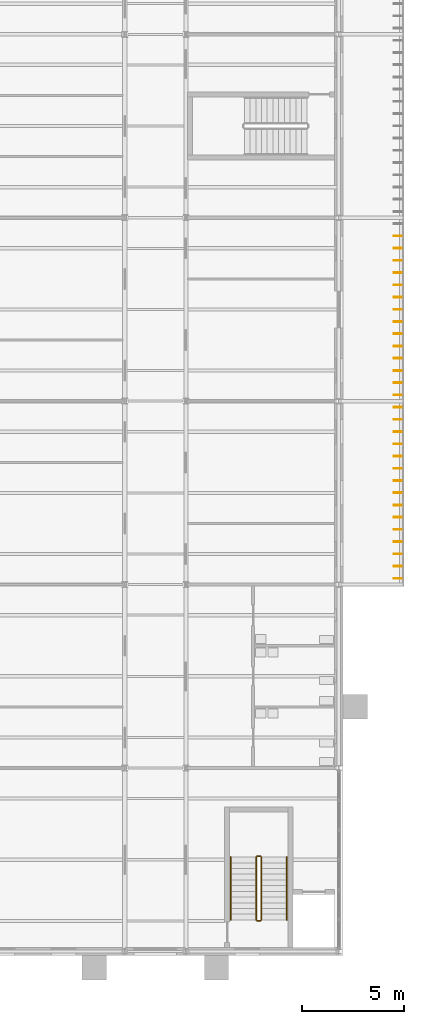
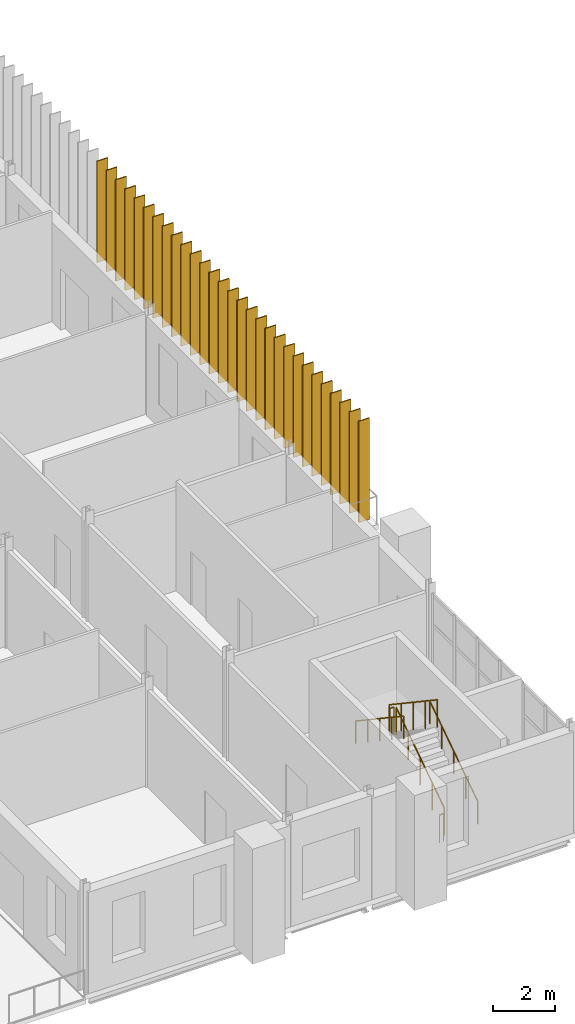
# One storey, part 126 of 134: 29 shading devices, 6 railings.
"""IFC4 building model written with IfcOpenShell, lengths in metres."""

from ifc_helpers import new_model, si_unit, direction, frame, origin, origin_2d, place, context, subcontext, project, spatial, rectangle, circle, extrude, material, layer, layer_set, type_object, element, save


model = new_model("IFC4")

# Units and contexts
model_context = context("Model", 3, precision=1e-05, world=origin(), true_north=direction((0.0, 1.0)))
body_context = subcontext(model_context, "Body", "Model", "MODEL_VIEW")
ifc_project = project(units=[si_unit("LENGTHUNIT", "METRE"), si_unit("AREAUNIT", "SQUARE_METRE"), si_unit("VOLUMEUNIT", "CUBIC_METRE"), si_unit("PLANEANGLEUNIT", "RADIAN"), si_unit("MASSUNIT", "GRAM", prefix="KILO")], contexts=[model_context])

# Site, building, storey
site_placement = place(None, origin())
site = spatial("IfcSite", under=ifc_project, at=site_placement, CompositionType="ELEMENT")
building_placement = place(site_placement, origin())
building = spatial("IfcBuilding", under=site, at=building_placement, Name="Golden Quay Civic Hall", CompositionType="ELEMENT")
storey_placement = place(building_placement, frame((0.0, 0.0, 5.39990234375)))
storey = spatial("IfcBuildingStorey", under=building, at=storey_placement, Name="L01", CompositionType="ELEMENT", Elevation=5.39990234375)

# Shading devices
ifc_material_1 = material(Name="Aluminium, anodised", Category="aluminium")
ifc_layer = layer(ifc_material_1, 0.0400390625)
ifc_layer_set = layer_set([ifc_layer], Name="Louvre fin 40 x 400")
shading_device_type = type_object("IfcShadingDeviceType", Name="Louvre fin 40 x 400", PredefinedType="JALOUSIE", material=ifc_layer_set)
for number, where, z_axis, x_axis, name in (
    (1, (173.89990234375, 9.300048828125, 0.0), (0.0, 0.0, 1.0), (0.0, 1.0, 0.0), "Louvre fin 40 x 400 L01 1"),
    (2, (173.89990234375, 9.89990234375, 0.0), (0.0, 0.0, 1.0), (0.0, 1.0, 0.0), "Louvre fin 40 x 400 L01 2"),
    (3, (173.89990234375, 10.5, 0.0), (0.0, 0.0, 1.0), (0.0, 1.0, 0.0), "Louvre fin 40 x 400 L01 3"),
    (4, (173.89990234375, 11.10009765625, 0.0), (0.0, 0.0, 1.0), (0.0, 1.0, 0.0), "Louvre fin 40 x 400 L01 4"),
    (5, (173.89990234375, 11.699951171875, 0.0), (0.0, 0.0, 1.0), (0.0, 1.0, 0.0), "Louvre fin 40 x 400 L01 5"),
    (6, (173.89990234375, 12.300048828125, 0.0), (0.0, 0.0, 1.0), (0.0, 1.0, 0.0), "Louvre fin 40 x 400 L01 6"),
    (7, (173.89990234375, 12.89990234375, 0.0), (0.0, 0.0, 1.0), (0.0, 1.0, 0.0), "Louvre fin 40 x 400 L01 7"),
    (8, (173.89990234375, 13.5, 0.0), (0.0, 0.0, 1.0), (0.0, 1.0, 0.0), "Louvre fin 40 x 400 L01 8"),
    (9, (173.89990234375, 14.10009765625, 0.0), (0.0, 0.0, 1.0), (0.0, 1.0, 0.0), "Louvre fin 40 x 400 L01 9"),
    (10, (173.89990234375, 14.699951171875, 0.0), (0.0, 0.0, 1.0), (0.0, 1.0, 0.0), "Louvre fin 40 x 400 L01 10"),
    (11, (173.89990234375, 15.300048828125, 0.0), (0.0, 0.0, 1.0), (0.0, 1.0, 0.0), "Louvre fin 40 x 400 L01 11"),
    (12, (173.89990234375, 15.89990234375, 0.0), (0.0, 0.0, 1.0), (0.0, 1.0, 0.0), "Louvre fin 40 x 400 L01 12"),
    (13, (173.89990234375, 16.5, 0.0), (0.0, 0.0, 1.0), (0.0, 1.0, 0.0), "Louvre fin 40 x 400 L01 13"),
    (14, (173.89990234375, 17.10009765625, 0.0), (0.0, 0.0, 1.0), (0.0, 1.0, 0.0), "Louvre fin 40 x 400 L01 14"),
    (15, (173.89990234375, 17.699951171875, 0.0), (0.0, 0.0, 1.0), (0.0, 1.0, 0.0), "Louvre fin 40 x 400 L01 15"),
    (16, (173.89990234375, 18.300048828125, 0.0), (0.0, 0.0, 1.0), (0.0, 1.0, 0.0), "Louvre fin 40 x 400 L01 16"),
    (17, (173.89990234375, 18.89990234375, 0.0), (0.0, 0.0, 1.0), (0.0, 1.0, 0.0), "Louvre fin 40 x 400 L01 17"),
    (18, (173.89990234375, 19.5, 0.0), (0.0, 0.0, 1.0), (0.0, 1.0, 0.0), "Louvre fin 40 x 400 L01 18"),
    (19, (173.89990234375, 20.10009765625, 0.0), (0.0, 0.0, 1.0), (0.0, 1.0, 0.0), "Louvre fin 40 x 400 L01 19"),
    (20, (173.89990234375, 20.699951171875, 0.0), (0.0, 0.0, 1.0), (0.0, 1.0, 0.0), "Louvre fin 40 x 400 L01 20"),
    (21, (173.89990234375, 21.300048828125, 0.0), (0.0, 0.0, 1.0), (0.0, 1.0, 0.0), "Louvre fin 40 x 400 L01 21"),
    (22, (173.89990234375, 21.89990234375, 0.0), (0.0, 0.0, 1.0), (0.0, 1.0, 0.0), "Louvre fin 40 x 400 L01 22"),
    (23, (173.89990234375, 22.5, 0.0), (0.0, 0.0, 1.0), (0.0, 1.0, 0.0), "Louvre fin 40 x 400 L01 23"),
    (24, (173.89990234375, 23.10009765625, 0.0), (0.0, 0.0, 1.0), (0.0, 1.0, 0.0), "Louvre fin 40 x 400 L01 24"),
    (25, (173.89990234375, 23.699951171875, 0.0), (0.0, 0.0, 1.0), (0.0, 1.0, 0.0), "Louvre fin 40 x 400 L01 25"),
    (26, (173.89990234375, 24.300048828125, 0.0), (0.0, 0.0, 1.0), (0.0, 1.0, 0.0), "Louvre fin 40 x 400 L01 26"),
    (27, (173.89990234375, 24.89990234375, 0.0), (0.0, 0.0, 1.0), (0.0, 1.0, 0.0), "Louvre fin 40 x 400 L01 27"),
    (28, (173.89990234375, 25.5, 0.0), (0.0, 0.0, 1.0), (0.0, 1.0, 0.0), "Louvre fin 40 x 400 L01 28"),
    (29, (173.89990234375, 26.10009765625, 0.0), (0.0, 0.0, 1.0), (0.0, 1.0, 0.0), "Louvre fin 40 x 400 L01 29"),
):
    element("IfcShadingDevice", number, at=place(storey_placement, frame(where, z_axis=z_axis, x_axis=x_axis)), inside=storey, type_object=shading_device_type, Name=name, PredefinedType="JALOUSIE", context=body_context, shape_type="SweptSolid", body=[
        extrude(rectangle(XDim=0.0400390625, YDim=0.39990234375, at=origin_2d()), origin(), (0.0, 0.0, 1.0), 3.969970703125),
    ])

# Railings
ifc_material_2 = material(Name="Steel S355", Category="steel")
railing_type_1 = type_object("IfcRailingType", Name="Steel guard 1100", PredefinedType="GUARDRAIL", material=ifc_material_2)
railing_1_placement = place(storey_placement, frame((167.199951171875, -7.449951171875, 0.1875)))
element("IfcRailing", 30, at=railing_1_placement, inside=storey, type_object=railing_type_1, Name="L01 EO-S stair guard 1", PredefinedType="GUARDRAIL", context=body_context, shape_type="SweptSolid", body=[
    extrude(circle(Radius=0.02392578125, at=origin_2d()), frame((0.0, 0.0, 1.076171875), z_axis=(0.0, 0.830893310487, 0.556431762742), x_axis=(-1.0, 0.0, 0.0)), (0.0, 0.0, 1.0), 3.70654296875),
    extrude(circle(Radius=0.02099609375, at=origin_2d()), origin(), (0.0, 0.0, 1.0), 1.052001953125),
    extrude(circle(Radius=0.02099609375, at=origin_2d()), frame((0.0, 0.77001953125, 0.515625)), (0.0, 0.0, 1.0), 1.052001953125),
    extrude(circle(Radius=0.02099609375, at=origin_2d()), frame((0.0, 1.5400390625, 1.03125)), (0.0, 0.0, 1.0), 1.052001953125),
    extrude(circle(Radius=0.02099609375, at=origin_2d()), frame((0.0, 2.309814453125, 1.546875)), (0.0, 0.0, 1.0), 1.052001953125),
    extrude(circle(Radius=0.02099609375, at=origin_2d()), frame((0.0, 3.079833984375, 2.0625)), (0.0, 0.0, 1.0), 1.052001953125),
])
railing_2_placement = place(storey_placement, frame((167.14990234375, -4.320068359375, 2.25)))
element("IfcRailing", 31, at=railing_2_placement, inside=storey, type_object=railing_type_1, Name="L01 EO-S stair guard 2", PredefinedType="GUARDRAIL", context=body_context, shape_type="SweptSolid", body=[
    extrude(circle(Radius=0.02392578125, at=origin_2d()), frame((0.0, 0.0, 1.076171875), z_axis=(-1.0, 0.0, 0.0), x_axis=(0.0, -1.0, 0.0)), (0.0, 0.0, 1.0), 0.14990234375),
    extrude(circle(Radius=0.02099609375, at=origin_2d()), origin(), (0.0, 0.0, 1.0), 1.052001953125),
    extrude(circle(Radius=0.02099609375, at=origin_2d()), frame((-0.14990234375, 0.0, 0.0)), (0.0, 0.0, 1.0), 1.052001953125),
])
railing_3_placement = place(storey_placement, frame((166.949951171875, -4.3701171875, 2.4375)))
element("IfcRailing", 32, at=railing_3_placement, inside=storey, type_object=railing_type_1, Name="L01 EO-S stair guard 3", PredefinedType="GUARDRAIL", context=body_context, shape_type="SweptSolid", body=[
    extrude(circle(Radius=0.02392578125, at=origin_2d()), frame((0.0, 0.0, 1.076171875), z_axis=(0.0, -0.830893310487, 0.556431762742), x_axis=(1.0, 0.0, 0.0)), (0.0, 0.0, 1.0), 3.70654296875),
    extrude(circle(Radius=0.02099609375, at=origin_2d()), origin(), (0.0, 0.0, 1.0), 1.052001953125),
    extrude(circle(Radius=0.02099609375, at=origin_2d()), frame((0.0, -0.77001953125, 0.515625)), (0.0, 0.0, 1.0), 1.052001953125),
    extrude(circle(Radius=0.02099609375, at=origin_2d()), frame((0.0, -1.5400390625, 1.03125)), (0.0, 0.0, 1.0), 1.052001953125),
    extrude(circle(Radius=0.02099609375, at=origin_2d()), frame((0.0, -2.309814453125, 1.546875)), (0.0, 0.0, 1.0), 1.052001953125),
    extrude(circle(Radius=0.02099609375, at=origin_2d()), frame((0.0, -3.079833984375, 2.0625)), (0.0, 0.0, 1.0), 1.052001953125),
])
railing_4_placement = place(storey_placement, frame((167.14990234375, -7.5, 0.0)))
element("IfcRailing", 33, at=railing_4_placement, inside=storey, type_object=railing_type_1, Name="L01 EO-S stair guard 4", PredefinedType="GUARDRAIL", context=body_context, shape_type="SweptSolid", body=[
    extrude(circle(Radius=0.02392578125, at=origin_2d()), frame((0.0, 0.0, 1.076171875), z_axis=(-1.0, 0.0, 0.0), x_axis=(0.0, -1.0, 0.0)), (0.0, 0.0, 1.0), 0.14990234375),
    extrude(circle(Radius=0.02099609375, at=origin_2d()), origin(), (0.0, 0.0, 1.0), 1.052001953125),
    extrude(circle(Radius=0.02099609375, at=origin_2d()), frame((-0.14990234375, 0.0, 0.0)), (0.0, 0.0, 1.0), 1.052001953125),
])
ifc_material_3 = material(Name="Steel S355", Category="steel")
railing_type_2 = type_object("IfcRailingType", Name="Steel handrail 900", PredefinedType="HANDRAIL", material=ifc_material_3)
railing_5_placement = place(storey_placement, frame((168.449951171875, -7.449951171875, 0.1875)))
element("IfcRailing", 34, at=railing_5_placement, inside=storey, type_object=railing_type_2, Name="L01 EO-S stair handrail 1", PredefinedType="HANDRAIL", context=body_context, shape_type="SweptSolid", body=[
    extrude(circle(Radius=0.02392578125, at=origin_2d()), frame((0.0, 0.0, 0.8759765625), z_axis=(0.0, 0.830893310487, 0.556431762742), x_axis=(-1.0, 0.0, 0.0)), (0.0, 0.0, 1.0), 3.70654296875),
    extrude(circle(Radius=0.02099609375, at=origin_2d()), origin(), (0.0, 0.0, 1.0), 0.851806640625),
    extrude(circle(Radius=0.02099609375, at=origin_2d()), frame((0.0, 0.77001953125, 0.515625)), (0.0, 0.0, 1.0), 0.851806640625),
    extrude(circle(Radius=0.02099609375, at=origin_2d()), frame((0.0, 1.5400390625, 1.03125)), (0.0, 0.0, 1.0), 0.851806640625),
    extrude(circle(Radius=0.02099609375, at=origin_2d()), frame((0.0, 2.309814453125, 1.546875)), (0.0, 0.0, 1.0), 0.851806640625),
    extrude(circle(Radius=0.02099609375, at=origin_2d()), frame((0.0, 3.079833984375, 2.0625)), (0.0, 0.0, 1.0), 0.851806640625),
])
railing_6_placement = place(storey_placement, frame((165.699951171875, -4.3701171875, 2.4375)))
element("IfcRailing", 35, at=railing_6_placement, inside=storey, type_object=railing_type_2, Name="L01 EO-S stair handrail 2", PredefinedType="HANDRAIL", context=body_context, shape_type="SweptSolid", body=[
    extrude(circle(Radius=0.02392578125, at=origin_2d()), frame((0.0, 0.0, 0.8759765625), z_axis=(0.0, -0.830893310487, 0.556431762742), x_axis=(1.0, 0.0, 0.0)), (0.0, 0.0, 1.0), 3.70654296875),
    extrude(circle(Radius=0.02099609375, at=origin_2d()), origin(), (0.0, 0.0, 1.0), 0.851806640625),
    extrude(circle(Radius=0.02099609375, at=origin_2d()), frame((0.0, -0.77001953125, 0.515625)), (0.0, 0.0, 1.0), 0.851806640625),
    extrude(circle(Radius=0.02099609375, at=origin_2d()), frame((0.0, -1.5400390625, 1.03125)), (0.0, 0.0, 1.0), 0.851806640625),
    extrude(circle(Radius=0.02099609375, at=origin_2d()), frame((0.0, -2.309814453125, 1.546875)), (0.0, 0.0, 1.0), 0.851806640625),
    extrude(circle(Radius=0.02099609375, at=origin_2d()), frame((0.0, -3.079833984375, 2.0625)), (0.0, 0.0, 1.0), 0.851806640625),
])

save(model, "model.ifc")
